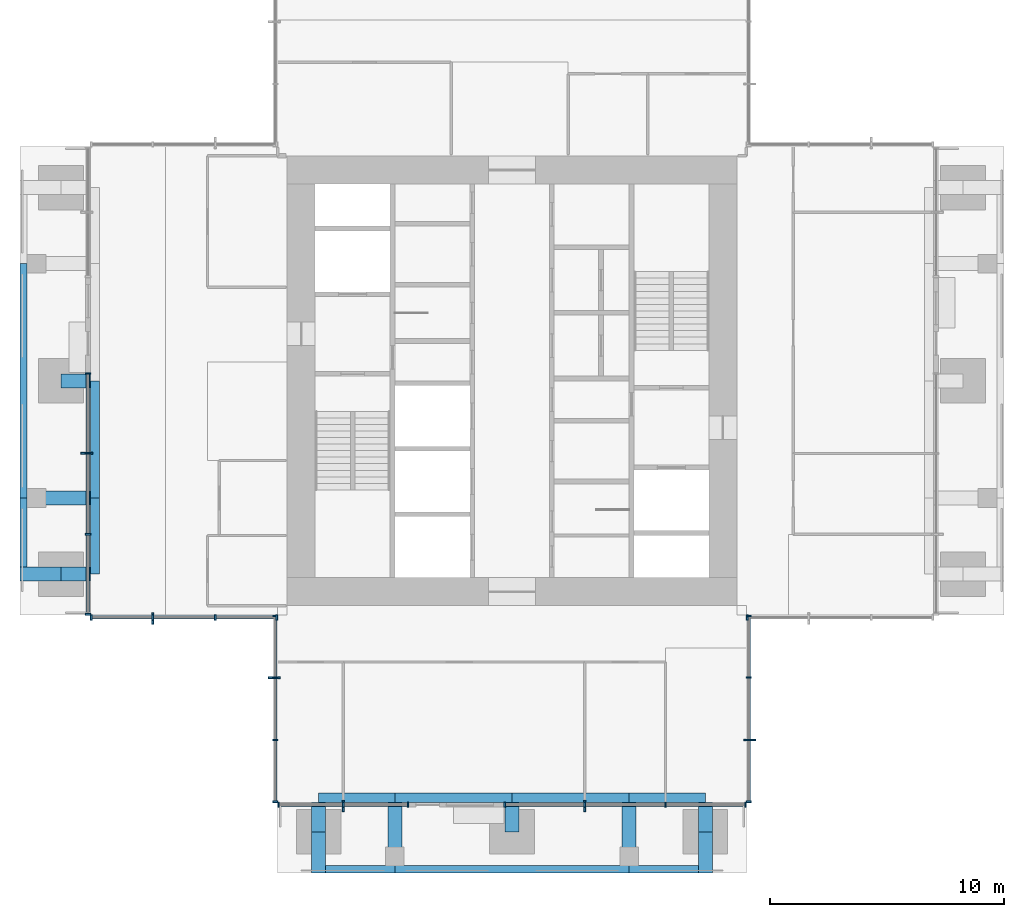
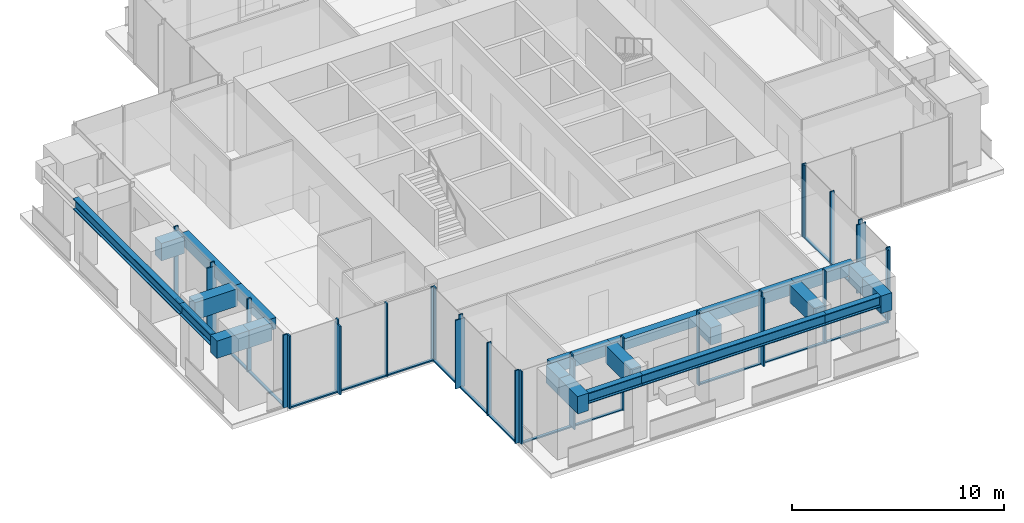
# One storey, part 2 of 12: 47 members, 22 beams, 7 elements without a shape of their own.
"""IFC4 building model written with IfcOpenShell, lengths in metres."""

from ifc_helpers import new_model, si_unit, direction, frame, origin, origin_2d, place, context, subcontext, project, spatial, rectangle, i_section, extrude, material, material_profile, profile_set, type_object, element, aggregate, save


model = new_model("IFC4")

# Units and contexts
model_context = context("Model", 3, precision=1e-05, world=origin(), true_north=direction((0.0, 1.0)))
body_context = subcontext(model_context, "Body", "Model", "MODEL_VIEW")
ifc_project = project(units=[si_unit("LENGTHUNIT", "METRE"), si_unit("AREAUNIT", "SQUARE_METRE"), si_unit("VOLUMEUNIT", "CUBIC_METRE"), si_unit("PLANEANGLEUNIT", "RADIAN"), si_unit("MASSUNIT", "GRAM", prefix="KILO")], contexts=[model_context])

# Site, building, storey
site_placement = place(None, origin())
site = spatial("IfcSite", under=ifc_project, at=site_placement, CompositionType="ELEMENT")
building_placement = place(site_placement, origin())
building = spatial("IfcBuilding", under=site, at=building_placement, Name="Svetlomir Tower", CompositionType="ELEMENT")
storey_placement = place(building_placement, frame((0.0, 0.0, 248.199951171875)))
storey = spatial("IfcBuildingStorey", under=building, at=storey_placement, Name="L59", CompositionType="ELEMENT", Elevation=248.199951171875)

# Curtain wall, member
ifc_material_1 = material(Name="Bronze anodised aluminium curtain wall", Category="aluminium")
curtain_wall_type = type_object("IfcCurtainWallType", Name="CURTAIN WALL CW4 EXECUTIVE", PredefinedType="NOTDEFINED", material=ifc_material_1)
curtain_wall_1_placement = place(storey_placement, origin())
curtain_wall_1 = element("IfcCurtainWall", 1, at=curtain_wall_1_placement, inside=storey, type_object=curtain_wall_type, Name="Curtain wall CW4 L59", PredefinedType="NOTDEFINED")
ifc_material_2 = material(Name="Bronze anodised aluminium", Category="aluminium")
ifc_material_profile_1 = material_profile(ifc_material_2, rectangle(XDim=0.080078125, YDim=0.5, at=origin_2d()), Name="FIN 80x500")
ifc_profile_set_1 = profile_set([ifc_material_profile_1], Name="Bronze anodised aluminium 6063-T6")
member_type_1 = type_object("IfcMemberType", Name="BRONZE FIN 80x500", PredefinedType="USERDEFINED", material=ifc_profile_set_1)
member_1_placement = place(storey_placement, frame((13.800048828125, 2.85009765625, 0.0), z_axis=(0.0, 0.0, 1.0), x_axis=(1.0, 0.0, 0.0)))
member_1 = element("IfcMember", 2, at=member_1_placement, type_object=member_type_1, Name="Bronze fin L59", ObjectType="FIN", PredefinedType="USERDEFINED", context=body_context, shape_type="SweptSolid", body=[
    extrude(rectangle(XDim=0.080078125, YDim=0.5, at=origin_2d()), origin(), (0.0, 0.0, 1.0), 3.949951171875),
])

curtain_wall_2_placement = place(storey_placement, origin())
curtain_wall_2 = element("IfcCurtainWall", 3, at=curtain_wall_2_placement, inside=storey, type_object=curtain_wall_type, Name="Curtain wall CW4 L59", PredefinedType="NOTDEFINED")
member_2_placement = place(storey_placement, frame((24.10009765625, 2.85009765625, 0.0), z_axis=(0.0, 0.0, 1.0), x_axis=(1.0, 0.0, 0.0)))
member_2 = element("IfcMember", 4, at=member_2_placement, type_object=member_type_1, Name="Bronze fin L59", ObjectType="FIN", PredefinedType="USERDEFINED", context=body_context, shape_type="SweptSolid", body=[
    extrude(rectangle(XDim=0.080078125, YDim=0.5, at=origin_2d()), origin(), (0.0, 0.0, 1.0), 3.949951171875),
])

curtain_wall_3_placement = place(storey_placement, origin())
curtain_wall_3 = element("IfcCurtainWall", 5, at=curtain_wall_3_placement, inside=storey, type_object=curtain_wall_type, Name="Curtain wall CW4 L59", PredefinedType="NOTDEFINED")
member_3_placement = place(storey_placement, frame((31.14990234375, 5.666748046875, 0.0), z_axis=(0.0, 0.0, 1.0), x_axis=(0.0, 1.0, 0.0)))
member_3 = element("IfcMember", 6, at=member_3_placement, type_object=member_type_1, Name="Bronze fin L59", ObjectType="FIN", PredefinedType="USERDEFINED", context=body_context, shape_type="SweptSolid", body=[
    extrude(rectangle(XDim=0.080078125, YDim=0.5, at=origin_2d()), origin(), (0.0, 0.0, 1.0), 3.949951171875),
])

curtain_wall_4_placement = place(storey_placement, origin())
curtain_wall_4 = element("IfcCurtainWall", 7, at=curtain_wall_4_placement, inside=storey, type_object=curtain_wall_type, Name="Curtain wall CW4 L59", PredefinedType="NOTDEFINED")
member_4_placement = place(storey_placement, frame((2.85009765625, 17.89990234375, 0.0), z_axis=(0.0, 0.0, 1.0), x_axis=(0.0, 1.0, 0.0)))
member_4 = element("IfcMember", 8, at=member_4_placement, type_object=member_type_1, Name="Bronze fin L59", ObjectType="FIN", PredefinedType="USERDEFINED", context=body_context, shape_type="SweptSolid", body=[
    extrude(rectangle(XDim=0.080078125, YDim=0.5, at=origin_2d()), origin(), (0.0, 0.0, 1.0), 3.949951171875),
])

curtain_wall_5_placement = place(storey_placement, origin())
curtain_wall_5 = element("IfcCurtainWall", 9, at=curtain_wall_5_placement, inside=storey, type_object=curtain_wall_type, Name="Curtain wall CW4 L59", PredefinedType="NOTDEFINED")
member_5_placement = place(storey_placement, frame((5.666748046875, 10.85009765625, 0.0), z_axis=(0.0, 0.0, 1.0), x_axis=(1.0, 0.0, 0.0)))
member_5 = element("IfcMember", 10, at=member_5_placement, type_object=member_type_1, Name="Bronze fin L59", ObjectType="FIN", PredefinedType="USERDEFINED", context=body_context, shape_type="SweptSolid", body=[
    extrude(rectangle(XDim=0.080078125, YDim=0.5, at=origin_2d()), origin(), (0.0, 0.0, 1.0), 3.949951171875),
])

curtain_wall_6_placement = place(storey_placement, origin())
curtain_wall_6 = element("IfcCurtainWall", 11, at=curtain_wall_6_placement, inside=storey, type_object=curtain_wall_type, Name="Curtain wall CW4 L59", PredefinedType="NOTDEFINED")
member_6_placement = place(storey_placement, frame((10.85009765625, 8.333251953125, 0.0), z_axis=(0.0, 0.0, 1.0), x_axis=(0.0, 1.0, 0.0)))
member_6 = element("IfcMember", 12, at=member_6_placement, type_object=member_type_1, Name="Bronze fin L59", ObjectType="FIN", PredefinedType="USERDEFINED", context=body_context, shape_type="SweptSolid", body=[
    extrude(rectangle(XDim=0.080078125, YDim=0.5, at=origin_2d()), origin(), (0.0, 0.0, 1.0), 3.949951171875),
])

# Member
ifc_material_3 = material(Name="Bronze anodised aluminium", Category="aluminium")
ifc_material_profile_2 = material_profile(ifc_material_3, rectangle(XDim=0.074951171875, YDim=0.219970703125, at=origin_2d()), Name="AL 75x220")
ifc_profile_set_2 = profile_set([ifc_material_profile_2], Name="Bronze anodised aluminium 6063-T6")
member_type_2 = type_object("IfcMemberType", Name="CW4 MULLION 75x220", PredefinedType="MULLION", material=ifc_profile_set_2)
member_7_placement = place(storey_placement, frame((11.03759765625, 2.89990234375, 0.0), z_axis=(0.0, 0.0, 1.0), x_axis=(1.0, 0.0, 0.0)))
member_7 = element("IfcMember", 13, at=member_7_placement, type_object=member_type_2, Name="CW4 mullion 1", PredefinedType="MULLION", context=body_context, shape_type="SweptSolid", body=[
    extrude(rectangle(XDim=0.074951171875, YDim=0.219970703125, at=origin_2d()), origin(), (0.0, 0.0, 1.0), 4.199951171875),
])

member_8_placement = place(storey_placement, frame((13.800048828125, 2.89990234375, 0.0), z_axis=(0.0, 0.0, 1.0), x_axis=(1.0, 0.0, 0.0)))
member_8 = element("IfcMember", 14, at=member_8_placement, type_object=member_type_2, Name="CW4 mullion 2", PredefinedType="MULLION", context=body_context, shape_type="SweptSolid", body=[
    extrude(rectangle(XDim=0.074951171875, YDim=0.219970703125, at=origin_2d()), origin(), (0.0, 0.0, 1.0), 4.199951171875),
])

member_9_placement = place(storey_placement, frame((16.5625, 2.89990234375, 0.0), z_axis=(0.0, 0.0, 1.0), x_axis=(1.0, 0.0, 0.0)))
member_9 = element("IfcMember", 15, at=member_9_placement, type_object=member_type_2, Name="CW4 mullion 3", PredefinedType="MULLION", context=body_context, shape_type="SweptSolid", body=[
    extrude(rectangle(XDim=0.074951171875, YDim=0.219970703125, at=origin_2d()), origin(), (0.0, 0.0, 1.0), 4.199951171875),
])

member_10_placement = place(storey_placement, frame((20.6875, 2.89990234375, 0.0), z_axis=(0.0, 0.0, 1.0), x_axis=(1.0, 0.0, 0.0)))
member_10 = element("IfcMember", 16, at=member_10_placement, type_object=member_type_2, Name="CW4 mullion 1", PredefinedType="MULLION", context=body_context, shape_type="SweptSolid", body=[
    extrude(rectangle(XDim=0.074951171875, YDim=0.219970703125, at=origin_2d()), origin(), (0.0, 0.0, 1.0), 4.199951171875),
])

member_11_placement = place(storey_placement, frame((24.10009765625, 2.89990234375, 0.0), z_axis=(0.0, 0.0, 1.0), x_axis=(1.0, 0.0, 0.0)))
member_11 = element("IfcMember", 17, at=member_11_placement, type_object=member_type_2, Name="CW4 mullion 2", PredefinedType="MULLION", context=body_context, shape_type="SweptSolid", body=[
    extrude(rectangle(XDim=0.074951171875, YDim=0.219970703125, at=origin_2d()), origin(), (0.0, 0.0, 1.0), 4.199951171875),
])

member_12_placement = place(storey_placement, frame((27.550048828125, 2.89990234375, 0.0), z_axis=(0.0, 0.0, 1.0), x_axis=(1.0, 0.0, 0.0)))
member_12 = element("IfcMember", 18, at=member_12_placement, type_object=member_type_2, Name="CW4 mullion 3", PredefinedType="MULLION", context=body_context, shape_type="SweptSolid", body=[
    extrude(rectangle(XDim=0.074951171875, YDim=0.219970703125, at=origin_2d()), origin(), (0.0, 0.0, 1.0), 4.199951171875),
])

member_13_placement = place(storey_placement, frame((30.96240234375, 2.89990234375, 0.0), z_axis=(0.0, 0.0, 1.0), x_axis=(1.0, 0.0, 0.0)))
member_13 = element("IfcMember", 19, at=member_13_placement, type_object=member_type_2, Name="CW4 mullion 4", PredefinedType="MULLION", context=body_context, shape_type="SweptSolid", body=[
    extrude(rectangle(XDim=0.074951171875, YDim=0.219970703125, at=origin_2d()), origin(), (0.0, 0.0, 1.0), 4.199951171875),
])

member_14_placement = place(storey_placement, frame((31.10009765625, 3.03759765625, 0.0), z_axis=(0.0, 0.0, 1.0), x_axis=(0.0, 1.0, 0.0)))
member_14 = element("IfcMember", 20, at=member_14_placement, type_object=member_type_2, Name="CW4 mullion 1", PredefinedType="MULLION", context=body_context, shape_type="SweptSolid", body=[
    extrude(rectangle(XDim=0.074951171875, YDim=0.219970703125, at=origin_2d()), origin(), (0.0, 0.0, 1.0), 4.199951171875),
])

member_15_placement = place(storey_placement, frame((31.10009765625, 5.666748046875, 0.0), z_axis=(0.0, 0.0, 1.0), x_axis=(0.0, 1.0, 0.0)))
member_15 = element("IfcMember", 21, at=member_15_placement, type_object=member_type_2, Name="CW4 mullion 2", PredefinedType="MULLION", context=body_context, shape_type="SweptSolid", body=[
    extrude(rectangle(XDim=0.074951171875, YDim=0.219970703125, at=origin_2d()), origin(), (0.0, 0.0, 1.0), 4.199951171875),
])

member_16_placement = place(storey_placement, frame((31.10009765625, 8.333251953125, 0.0), z_axis=(0.0, 0.0, 1.0), x_axis=(0.0, 1.0, 0.0)))
member_16 = element("IfcMember", 22, at=member_16_placement, type_object=member_type_2, Name="CW4 mullion 3", PredefinedType="MULLION", context=body_context, shape_type="SweptSolid", body=[
    extrude(rectangle(XDim=0.074951171875, YDim=0.219970703125, at=origin_2d()), origin(), (0.0, 0.0, 1.0), 4.199951171875),
])

member_17_placement = place(storey_placement, frame((31.10009765625, 10.96240234375, 0.0), z_axis=(0.0, 0.0, 1.0), x_axis=(0.0, 1.0, 0.0)))
member_17 = element("IfcMember", 23, at=member_17_placement, type_object=member_type_2, Name="CW4 mullion 4", PredefinedType="MULLION", context=body_context, shape_type="SweptSolid", body=[
    extrude(rectangle(XDim=0.074951171875, YDim=0.219970703125, at=origin_2d()), origin(), (0.0, 0.0, 1.0), 4.199951171875),
])

# Curtain wall, member
curtain_wall_7_placement = place(storey_placement, origin())
curtain_wall_7 = element("IfcCurtainWall", 24, at=curtain_wall_7_placement, inside=storey, type_object=curtain_wall_type, Name="Curtain wall CW4 L59", PredefinedType="NOTDEFINED")
member_18_placement = place(storey_placement, frame((31.03759765625, 10.89990234375, 0.0), z_axis=(0.0, 0.0, 1.0), x_axis=(1.0, 0.0, 0.0)))
member_18 = element("IfcMember", 25, at=member_18_placement, type_object=member_type_2, Name="CW4 mullion 1", PredefinedType="MULLION", context=body_context, shape_type="SweptSolid", body=[
    extrude(rectangle(XDim=0.074951171875, YDim=0.219970703125, at=origin_2d()), origin(), (0.0, 0.0, 1.0), 4.199951171875),
])
aggregate(curtain_wall_7, [member_18])

# Member
member_19_placement = place(storey_placement, frame((2.89990234375, 21.3125, 0.0), z_axis=(0.0, 0.0, 1.0), x_axis=(0.0, -1.0, 0.0)))
member_19 = element("IfcMember", 26, at=member_19_placement, type_object=member_type_2, Name="CW4 mullion 1", PredefinedType="MULLION", context=body_context, shape_type="SweptSolid", body=[
    extrude(rectangle(XDim=0.074951171875, YDim=0.219970703125, at=origin_2d()), origin(), (0.0, 0.0, 1.0), 4.199951171875),
])

member_20_placement = place(storey_placement, frame((2.89990234375, 17.89990234375, 0.0), z_axis=(0.0, 0.0, 1.0), x_axis=(0.0, -1.0, 0.0)))
member_20 = element("IfcMember", 27, at=member_20_placement, type_object=member_type_2, Name="CW4 mullion 2", PredefinedType="MULLION", context=body_context, shape_type="SweptSolid", body=[
    extrude(rectangle(XDim=0.074951171875, YDim=0.219970703125, at=origin_2d()), origin(), (0.0, 0.0, 1.0), 4.199951171875),
])

member_21_placement = place(storey_placement, frame((2.89990234375, 14.449951171875, 0.0), z_axis=(0.0, 0.0, 1.0), x_axis=(0.0, -1.0, 0.0)))
member_21 = element("IfcMember", 28, at=member_21_placement, type_object=member_type_2, Name="CW4 mullion 3", PredefinedType="MULLION", context=body_context, shape_type="SweptSolid", body=[
    extrude(rectangle(XDim=0.074951171875, YDim=0.219970703125, at=origin_2d()), origin(), (0.0, 0.0, 1.0), 4.199951171875),
])

member_22_placement = place(storey_placement, frame((2.89990234375, 11.03759765625, 0.0), z_axis=(0.0, 0.0, 1.0), x_axis=(0.0, -1.0, 0.0)))
member_22 = element("IfcMember", 29, at=member_22_placement, type_object=member_type_2, Name="CW4 mullion 4", PredefinedType="MULLION", context=body_context, shape_type="SweptSolid", body=[
    extrude(rectangle(XDim=0.074951171875, YDim=0.219970703125, at=origin_2d()), origin(), (0.0, 0.0, 1.0), 4.199951171875),
])

member_23_placement = place(storey_placement, frame((3.03759765625, 10.89990234375, 0.0), z_axis=(0.0, 0.0, 1.0), x_axis=(1.0, 0.0, 0.0)))
member_23 = element("IfcMember", 30, at=member_23_placement, type_object=member_type_2, Name="CW4 mullion 1", PredefinedType="MULLION", context=body_context, shape_type="SweptSolid", body=[
    extrude(rectangle(XDim=0.074951171875, YDim=0.219970703125, at=origin_2d()), origin(), (0.0, 0.0, 1.0), 4.199951171875),
])

member_24_placement = place(storey_placement, frame((5.666748046875, 10.89990234375, 0.0), z_axis=(0.0, 0.0, 1.0), x_axis=(1.0, 0.0, 0.0)))
member_24 = element("IfcMember", 31, at=member_24_placement, type_object=member_type_2, Name="CW4 mullion 2", PredefinedType="MULLION", context=body_context, shape_type="SweptSolid", body=[
    extrude(rectangle(XDim=0.074951171875, YDim=0.219970703125, at=origin_2d()), origin(), (0.0, 0.0, 1.0), 4.199951171875),
])

member_25_placement = place(storey_placement, frame((8.333251953125, 10.89990234375, 0.0), z_axis=(0.0, 0.0, 1.0), x_axis=(1.0, 0.0, 0.0)))
member_25 = element("IfcMember", 32, at=member_25_placement, type_object=member_type_2, Name="CW4 mullion 3", PredefinedType="MULLION", context=body_context, shape_type="SweptSolid", body=[
    extrude(rectangle(XDim=0.074951171875, YDim=0.219970703125, at=origin_2d()), origin(), (0.0, 0.0, 1.0), 4.199951171875),
])

member_26_placement = place(storey_placement, frame((10.96240234375, 10.89990234375, 0.0), z_axis=(0.0, 0.0, 1.0), x_axis=(1.0, 0.0, 0.0)))
member_26 = element("IfcMember", 33, at=member_26_placement, type_object=member_type_2, Name="CW4 mullion 4", PredefinedType="MULLION", context=body_context, shape_type="SweptSolid", body=[
    extrude(rectangle(XDim=0.074951171875, YDim=0.219970703125, at=origin_2d()), origin(), (0.0, 0.0, 1.0), 4.199951171875),
])

member_27_placement = place(storey_placement, frame((10.89990234375, 10.96240234375, 0.0), z_axis=(0.0, 0.0, 1.0), x_axis=(0.0, -1.0, 0.0)))
member_27 = element("IfcMember", 34, at=member_27_placement, type_object=member_type_2, Name="CW4 mullion 1", PredefinedType="MULLION", context=body_context, shape_type="SweptSolid", body=[
    extrude(rectangle(XDim=0.074951171875, YDim=0.219970703125, at=origin_2d()), origin(), (0.0, 0.0, 1.0), 4.199951171875),
])

member_28_placement = place(storey_placement, frame((10.89990234375, 8.333251953125, 0.0), z_axis=(0.0, 0.0, 1.0), x_axis=(0.0, -1.0, 0.0)))
member_28 = element("IfcMember", 35, at=member_28_placement, type_object=member_type_2, Name="CW4 mullion 2", PredefinedType="MULLION", context=body_context, shape_type="SweptSolid", body=[
    extrude(rectangle(XDim=0.074951171875, YDim=0.219970703125, at=origin_2d()), origin(), (0.0, 0.0, 1.0), 4.199951171875),
])

member_29_placement = place(storey_placement, frame((10.89990234375, 5.666748046875, 0.0), z_axis=(0.0, 0.0, 1.0), x_axis=(0.0, -1.0, 0.0)))
member_29 = element("IfcMember", 36, at=member_29_placement, type_object=member_type_2, Name="CW4 mullion 3", PredefinedType="MULLION", context=body_context, shape_type="SweptSolid", body=[
    extrude(rectangle(XDim=0.074951171875, YDim=0.219970703125, at=origin_2d()), origin(), (0.0, 0.0, 1.0), 4.199951171875),
])

member_30_placement = place(storey_placement, frame((10.89990234375, 3.03759765625, 0.0), z_axis=(0.0, 0.0, 1.0), x_axis=(0.0, -1.0, 0.0)))
member_30 = element("IfcMember", 37, at=member_30_placement, type_object=member_type_2, Name="CW4 mullion 4", PredefinedType="MULLION", context=body_context, shape_type="SweptSolid", body=[
    extrude(rectangle(XDim=0.074951171875, YDim=0.219970703125, at=origin_2d()), origin(), (0.0, 0.0, 1.0), 4.199951171875),
])

ifc_material_4 = material(Name="Bronze anodised aluminium", Category="aluminium")
ifc_material_profile_3 = material_profile(ifc_material_4, rectangle(XDim=0.14990234375, YDim=0.074951171875, at=origin_2d()), Name="AL 150x75")
ifc_profile_set_3 = profile_set([ifc_material_profile_3], Name="Bronze anodised aluminium 6063-T6")
member_type_3 = type_object("IfcMemberType", Name="CW4 TRANSOM 75x150", PredefinedType="USERDEFINED", material=ifc_profile_set_3)
member_31_placement = place(storey_placement, frame((11.074951171875, 2.89990234375, 0.03759765625), z_axis=(1.0, 0.0, 0.0), x_axis=(0.0, 1.0, 0.0)))
member_31 = element("IfcMember", 38, at=member_31_placement, type_object=member_type_3, Name="CW4 transom 1.1", ObjectType="TRANSOM", PredefinedType="USERDEFINED", context=body_context, shape_type="SweptSolid", body=[
    extrude(rectangle(XDim=0.14990234375, YDim=0.074951171875, at=origin_2d()), origin(), (0.0, 0.0, 1.0), 2.6875),
])

member_32_placement = place(storey_placement, frame((13.83740234375, 2.89990234375, 0.03759765625), z_axis=(1.0, 0.0, 0.0), x_axis=(0.0, 1.0, 0.0)))
member_32 = element("IfcMember", 39, at=member_32_placement, type_object=member_type_3, Name="CW4 transom 2.1", ObjectType="TRANSOM", PredefinedType="USERDEFINED", context=body_context, shape_type="SweptSolid", body=[
    extrude(rectangle(XDim=0.14990234375, YDim=0.074951171875, at=origin_2d()), origin(), (0.0, 0.0, 1.0), 2.6875),
])

aggregate(curtain_wall_1, [member_7, member_8, member_9, member_31, member_32, member_1])

member_33_placement = place(storey_placement, frame((20.72509765625, 2.89990234375, 0.03759765625), z_axis=(1.0, 0.0, 0.0), x_axis=(0.0, 1.0, 0.0)))
member_33 = element("IfcMember", 40, at=member_33_placement, type_object=member_type_3, Name="CW4 transom 1.1", ObjectType="TRANSOM", PredefinedType="USERDEFINED", context=body_context, shape_type="SweptSolid", body=[
    extrude(rectangle(XDim=0.14990234375, YDim=0.074951171875, at=origin_2d()), origin(), (0.0, 0.0, 1.0), 3.33740234375),
])

member_34_placement = place(storey_placement, frame((24.137451171875, 2.89990234375, 0.03759765625), z_axis=(1.0, 0.0, 0.0), x_axis=(0.0, 1.0, 0.0)))
member_34 = element("IfcMember", 41, at=member_34_placement, type_object=member_type_3, Name="CW4 transom 2.1", ObjectType="TRANSOM", PredefinedType="USERDEFINED", context=body_context, shape_type="SweptSolid", body=[
    extrude(rectangle(XDim=0.14990234375, YDim=0.074951171875, at=origin_2d()), origin(), (0.0, 0.0, 1.0), 3.375),
])

member_35_placement = place(storey_placement, frame((27.58740234375, 2.89990234375, 0.03759765625), z_axis=(1.0, 0.0, 0.0), x_axis=(0.0, 1.0, 0.0)))
member_35 = element("IfcMember", 42, at=member_35_placement, type_object=member_type_3, Name="CW4 transom 3.1", ObjectType="TRANSOM", PredefinedType="USERDEFINED", context=body_context, shape_type="SweptSolid", body=[
    extrude(rectangle(XDim=0.14990234375, YDim=0.074951171875, at=origin_2d()), origin(), (0.0, 0.0, 1.0), 3.337646484375),
])

aggregate(curtain_wall_2, [member_10, member_11, member_12, member_13, member_33, member_34, member_35, member_2])

member_36_placement = place(storey_placement, frame((31.10009765625, 3.074951171875, 0.03759765625), z_axis=(0.0, 1.0, 0.0), x_axis=(-1.0, 0.0, 0.0)))
member_36 = element("IfcMember", 43, at=member_36_placement, type_object=member_type_3, Name="CW4 transom 1.1", ObjectType="TRANSOM", PredefinedType="USERDEFINED", context=body_context, shape_type="SweptSolid", body=[
    extrude(rectangle(XDim=0.14990234375, YDim=0.074951171875, at=origin_2d()), origin(), (0.0, 0.0, 1.0), 2.55419921875),
])

member_37_placement = place(storey_placement, frame((31.10009765625, 5.7041015625, 0.03759765625), z_axis=(0.0, 1.0, 0.0), x_axis=(-1.0, 0.0, 0.0)))
member_37 = element("IfcMember", 44, at=member_37_placement, type_object=member_type_3, Name="CW4 transom 2.1", ObjectType="TRANSOM", PredefinedType="USERDEFINED", context=body_context, shape_type="SweptSolid", body=[
    extrude(rectangle(XDim=0.14990234375, YDim=0.074951171875, at=origin_2d()), origin(), (0.0, 0.0, 1.0), 2.591796875),
])

member_38_placement = place(storey_placement, frame((31.10009765625, 8.370849609375, 0.03759765625), z_axis=(0.0, 1.0, 0.0), x_axis=(-1.0, 0.0, 0.0)))
member_38 = element("IfcMember", 45, at=member_38_placement, type_object=member_type_3, Name="CW4 transom 3.1", ObjectType="TRANSOM", PredefinedType="USERDEFINED", context=body_context, shape_type="SweptSolid", body=[
    extrude(rectangle(XDim=0.14990234375, YDim=0.074951171875, at=origin_2d()), origin(), (0.0, 0.0, 1.0), 2.55419921875),
])

aggregate(curtain_wall_3, [member_14, member_15, member_16, member_17, member_36, member_37, member_38, member_3])

member_39_placement = place(storey_placement, frame((2.89990234375, 21.27490234375, 0.03759765625), z_axis=(0.0, -1.0, 0.0), x_axis=(1.0, 0.0, 0.0)))
member_39 = element("IfcMember", 46, at=member_39_placement, type_object=member_type_3, Name="CW4 transom 1.1", ObjectType="TRANSOM", PredefinedType="USERDEFINED", context=body_context, shape_type="SweptSolid", body=[
    extrude(rectangle(XDim=0.14990234375, YDim=0.074951171875, at=origin_2d()), origin(), (0.0, 0.0, 1.0), 3.33740234375),
])

member_40_placement = place(storey_placement, frame((2.89990234375, 17.862548828125, 0.03759765625), z_axis=(0.0, -1.0, 0.0), x_axis=(1.0, 0.0, 0.0)))
member_40 = element("IfcMember", 47, at=member_40_placement, type_object=member_type_3, Name="CW4 transom 2.1", ObjectType="TRANSOM", PredefinedType="USERDEFINED", context=body_context, shape_type="SweptSolid", body=[
    extrude(rectangle(XDim=0.14990234375, YDim=0.074951171875, at=origin_2d()), origin(), (0.0, 0.0, 1.0), 3.375),
])

member_41_placement = place(storey_placement, frame((2.89990234375, 14.41259765625, 0.03759765625), z_axis=(0.0, -1.0, 0.0), x_axis=(1.0, 0.0, 0.0)))
member_41 = element("IfcMember", 48, at=member_41_placement, type_object=member_type_3, Name="CW4 transom 3.1", ObjectType="TRANSOM", PredefinedType="USERDEFINED", context=body_context, shape_type="SweptSolid", body=[
    extrude(rectangle(XDim=0.14990234375, YDim=0.074951171875, at=origin_2d()), origin(), (0.0, 0.0, 1.0), 3.337646484375),
])

aggregate(curtain_wall_4, [member_19, member_20, member_21, member_22, member_39, member_40, member_41, member_4])

member_42_placement = place(storey_placement, frame((3.074951171875, 10.89990234375, 0.03759765625), z_axis=(1.0, 0.0, 0.0), x_axis=(0.0, 1.0, 0.0)))
member_42 = element("IfcMember", 49, at=member_42_placement, type_object=member_type_3, Name="CW4 transom 1.1", ObjectType="TRANSOM", PredefinedType="USERDEFINED", context=body_context, shape_type="SweptSolid", body=[
    extrude(rectangle(XDim=0.14990234375, YDim=0.074951171875, at=origin_2d()), origin(), (0.0, 0.0, 1.0), 2.55419921875),
])

member_43_placement = place(storey_placement, frame((5.7041015625, 10.89990234375, 0.03759765625), z_axis=(1.0, 0.0, 0.0), x_axis=(0.0, 1.0, 0.0)))
member_43 = element("IfcMember", 50, at=member_43_placement, type_object=member_type_3, Name="CW4 transom 2.1", ObjectType="TRANSOM", PredefinedType="USERDEFINED", context=body_context, shape_type="SweptSolid", body=[
    extrude(rectangle(XDim=0.14990234375, YDim=0.074951171875, at=origin_2d()), origin(), (0.0, 0.0, 1.0), 2.591796875),
])

member_44_placement = place(storey_placement, frame((8.370849609375, 10.89990234375, 0.03759765625), z_axis=(1.0, 0.0, 0.0), x_axis=(0.0, 1.0, 0.0)))
member_44 = element("IfcMember", 51, at=member_44_placement, type_object=member_type_3, Name="CW4 transom 3.1", ObjectType="TRANSOM", PredefinedType="USERDEFINED", context=body_context, shape_type="SweptSolid", body=[
    extrude(rectangle(XDim=0.14990234375, YDim=0.074951171875, at=origin_2d()), origin(), (0.0, 0.0, 1.0), 2.55419921875),
])

aggregate(curtain_wall_5, [member_23, member_24, member_25, member_26, member_42, member_43, member_44, member_5])

member_45_placement = place(storey_placement, frame((10.89990234375, 10.925048828125, 0.03759765625), z_axis=(0.0, -1.0, 0.0), x_axis=(1.0, 0.0, 0.0)))
member_45 = element("IfcMember", 52, at=member_45_placement, type_object=member_type_3, Name="CW4 transom 1.1", ObjectType="TRANSOM", PredefinedType="USERDEFINED", context=body_context, shape_type="SweptSolid", body=[
    extrude(rectangle(XDim=0.14990234375, YDim=0.074951171875, at=origin_2d()), origin(), (0.0, 0.0, 1.0), 2.55419921875),
])

member_46_placement = place(storey_placement, frame((10.89990234375, 8.2958984375, 0.03759765625), z_axis=(0.0, -1.0, 0.0), x_axis=(1.0, 0.0, 0.0)))
member_46 = element("IfcMember", 53, at=member_46_placement, type_object=member_type_3, Name="CW4 transom 2.1", ObjectType="TRANSOM", PredefinedType="USERDEFINED", context=body_context, shape_type="SweptSolid", body=[
    extrude(rectangle(XDim=0.14990234375, YDim=0.074951171875, at=origin_2d()), origin(), (0.0, 0.0, 1.0), 2.591796875),
])

member_47_placement = place(storey_placement, frame((10.89990234375, 5.629150390625, 0.03759765625), z_axis=(0.0, -1.0, 0.0), x_axis=(1.0, 0.0, 0.0)))
member_47 = element("IfcMember", 54, at=member_47_placement, type_object=member_type_3, Name="CW4 transom 3.1", ObjectType="TRANSOM", PredefinedType="USERDEFINED", context=body_context, shape_type="SweptSolid", body=[
    extrude(rectangle(XDim=0.14990234375, YDim=0.074951171875, at=origin_2d()), origin(), (0.0, 0.0, 1.0), 2.55419921875),
])

aggregate(curtain_wall_6, [member_27, member_28, member_29, member_30, member_45, member_46, member_47, member_6])

# Beams
ifc_material_5 = material(Name="Steel S355", Category="steel")
ifc_material_profile_4 = material_profile(ifc_material_5, i_section(OverallWidth=0.304931640625, OverallDepth=0.6201171875, WebThickness=0.02099609375, FlangeThickness=0.0400390625, FilletRadius=0.027099609375, at=origin_2d()), Name="HEM 600")
ifc_profile_set_4 = profile_set([ifc_material_profile_4], Name="Steel S355")
beam_type_1 = type_object("IfcBeamType", Name="EDGE BEAM HEM 600", PredefinedType="SPANDREL", material=ifc_profile_set_4)
for number, where, z_axis, x_axis, name in (
    (55, (13.050048828125, 0.152587890625, 3.64013671875), (1.0, 0.0, 0.0), (0.0, 1.0, 0.0), "Edge beam 11/0 to 16/0 under L60"),
    (56, (0.152587890625, 13.050048828125, 3.64013671875), (0.0, 1.0, 0.0), (-1.0, 0.0, 0.0), "Edge beam 0/11 to 0/16 under L60"),
):
    element("IfcBeam", number, at=place(storey_placement, frame(where, z_axis=z_axis, x_axis=x_axis)), inside=storey, type_object=beam_type_1, Name=name, PredefinedType="SPANDREL", context=body_context, shape_type="SweptSolid", body=[
        extrude(i_section(OverallWidth=0.304931640625, OverallDepth=0.6201171875, WebThickness=0.02099609375, FlangeThickness=0.0400390625, FilletRadius=0.027099609375, at=origin_2d()), origin(), (0.0, 0.0, 1.0), 2.949951171875),
    ])
for number, where, z_axis, x_axis, name in (
    (57, (16.0, 0.152587890625, 3.64013671875), (1.0, 0.0, 0.0), (0.0, 1.0, 0.0), "Edge beam 16/0 to 26/0 under L60"),
    (58, (0.152587890625, 16.0, 3.64013671875), (0.0, 1.0, 0.0), (-1.0, 0.0, 0.0), "Edge beam 0/16 to 0/26 under L60"),
):
    element("IfcBeam", number, at=place(storey_placement, frame(where, z_axis=z_axis, x_axis=x_axis)), inside=storey, type_object=beam_type_1, Name=name, PredefinedType="SPANDREL", context=body_context, shape_type="SweptSolid", body=[
        extrude(i_section(OverallWidth=0.304931640625, OverallDepth=0.6201171875, WebThickness=0.02099609375, FlangeThickness=0.0400390625, FilletRadius=0.027099609375, at=origin_2d()), origin(), (0.0, 0.0, 1.0), 10.0),
    ])
beam_1_placement = place(storey_placement, frame((26.0, 0.152587890625, 3.64013671875), z_axis=(1.0, 0.0, 0.0), x_axis=(0.0, 1.0, 0.0)))
element("IfcBeam", 59, at=beam_1_placement, inside=storey, type_object=beam_type_1, Name="Edge beam 26/0 to 31/0 under L60", PredefinedType="SPANDREL", context=body_context, shape_type="SweptSolid", body=[
    extrude(i_section(OverallWidth=0.304931640625, OverallDepth=0.6201171875, WebThickness=0.02099609375, FlangeThickness=0.0400390625, FilletRadius=0.027099609375, at=origin_2d()), origin(), (0.0, 0.0, 1.0), 2.949951171875),
])
ifc_material_6 = material(Name="Concrete C60/75", Category="concrete")
ifc_material_profile_5 = material_profile(ifc_material_6, rectangle(XDim=0.60009765625, YDim=1.0, at=origin_2d()), Name="RC 600x1000")
ifc_profile_set_5 = profile_set([ifc_material_profile_5], Name="Concrete C60/75")
beam_type_2 = type_object("IfcBeamType", Name="EDGE LINK BEAM RC 600x1000", PredefinedType="BEAM", material=ifc_profile_set_5)
for number, where, z_axis, x_axis, name in (
    (60, (1.75, 12.75, 3.449951171875), (-1.0, 0.0, 0.0), (0.0, -1.0, 0.0), "Edge link beam W 0/11 under L60"),
    (61, (12.75, 1.75, 3.449951171875), (0.0, -1.0, 0.0), (1.0, 0.0, 0.0), "Edge link beam S 11/0 under L60"),
    (62, (29.25, 1.75, 3.449951171875), (0.0, -1.0, 0.0), (1.0, 0.0, 0.0), "Edge link beam S 31/0 under L60"),
):
    element("IfcBeam", number, at=place(storey_placement, frame(where, z_axis=z_axis, x_axis=x_axis)), inside=storey, type_object=beam_type_2, Name=name, PredefinedType="BEAM", context=body_context, shape_type="SweptSolid", body=[
        extrude(rectangle(XDim=0.60009765625, YDim=1.0, at=origin_2d()), origin(), (0.0, 0.0, 1.0), 1.75),
    ])
ifc_material_7 = material(Name="Concrete C60/75", Category="concrete")
ifc_material_profile_6 = material_profile(ifc_material_7, rectangle(XDim=0.39990234375, YDim=0.64990234375, at=origin_2d()), Name="RC 400x650")
ifc_profile_set_6 = profile_set([ifc_material_profile_6], Name="Concrete C60/75")
beam_type_3 = type_object("IfcBeamType", Name="FACADE EDGE BEAM RC 400x650", PredefinedType="BEAM", material=ifc_profile_set_6)
beam_2_placement = place(storey_placement, frame((12.75, 3.199951171875, 3.625), z_axis=(1.0, 0.0, 0.0), x_axis=(0.0, 1.0, 0.0)))
element("IfcBeam", 63, at=beam_2_placement, inside=storey, type_object=beam_type_3, Name="Facade edge beam S 11 to 16 under L60", PredefinedType="BEAM", context=body_context, shape_type="SweptSolid", body=[
    extrude(rectangle(XDim=0.39990234375, YDim=0.64990234375, at=origin_2d()), origin(), (0.0, 0.0, 1.0), 3.25),
])
for number, where, z_axis, x_axis, name in (
    (64, (16.0, 3.199951171875, 3.625), (1.0, 0.0, 0.0), (0.0, 1.0, 0.0), "Facade edge beam S 16 to 21 under L60"),
    (65, (21.0, 3.199951171875, 3.625), (1.0, 0.0, 0.0), (0.0, 1.0, 0.0), "Facade edge beam S 21 to 26 under L60"),
):
    element("IfcBeam", number, at=place(storey_placement, frame(where, z_axis=z_axis, x_axis=x_axis)), inside=storey, type_object=beam_type_3, Name=name, PredefinedType="BEAM", context=body_context, shape_type="SweptSolid", body=[
        extrude(rectangle(XDim=0.39990234375, YDim=0.64990234375, at=origin_2d()), origin(), (0.0, 0.0, 1.0), 5.0),
    ])
for number, where, z_axis, x_axis, name in (
    (66, (26.0, 3.199951171875, 3.625), (1.0, 0.0, 0.0), (0.0, 1.0, 0.0), "Facade edge beam S 26 to 31 under L60"),
    (67, (3.199951171875, 12.75, 3.625), (0.0, 1.0, 0.0), (-1.0, 0.0, 0.0), "Facade edge beam W 11 to 16 under L60"),
):
    element("IfcBeam", number, at=place(storey_placement, frame(where, z_axis=z_axis, x_axis=x_axis)), inside=storey, type_object=beam_type_3, Name=name, PredefinedType="BEAM", context=body_context, shape_type="SweptSolid", body=[
        extrude(rectangle(XDim=0.39990234375, YDim=0.64990234375, at=origin_2d()), origin(), (0.0, 0.0, 1.0), 3.25),
    ])
beam_3_placement = place(storey_placement, frame((3.199951171875, 16.0, 3.625), z_axis=(0.0, 1.0, 0.0), x_axis=(-1.0, 0.0, 0.0)))
element("IfcBeam", 68, at=beam_3_placement, inside=storey, type_object=beam_type_3, Name="Facade edge beam W 16 to 21 under L60", PredefinedType="BEAM", context=body_context, shape_type="SweptSolid", body=[
    extrude(rectangle(XDim=0.39990234375, YDim=0.64990234375, at=origin_2d()), origin(), (0.0, 0.0, 1.0), 5.0),
])
ifc_material_8 = material(Name="Concrete C60/75", Category="concrete")
ifc_material_profile_7 = material_profile(ifc_material_8, rectangle(XDim=0.60009765625, YDim=1.0, at=origin_2d()), Name="RC 600x1000")
ifc_profile_set_7 = profile_set([ifc_material_profile_7], Name="Concrete C60/75")
beam_type_4 = type_object("IfcBeamType", Name="LOGGIA LINK BEAM RC 600x1000", PredefinedType="BEAM", material=ifc_profile_set_7)
beam_4_placement = place(storey_placement, frame((12.75, 1.75, 3.449951171875), z_axis=(0.0, 1.0, 0.0), x_axis=(-1.0, 0.0, 0.0)))
element("IfcBeam", 69, at=beam_4_placement, inside=storey, type_object=beam_type_4, Name="Loggia link beam S 11 under L60", PredefinedType="BEAM", context=body_context, shape_type="SweptSolid", body=[
    extrude(rectangle(XDim=0.60009765625, YDim=1.0, at=origin_2d()), origin(), (0.0, 0.0, 1.0), 1.25),
])
beam_5_placement = place(storey_placement, frame((16.0, 0.699951171875, 3.449951171875), z_axis=(0.0, 1.0, 0.0), x_axis=(-1.0, 0.0, 0.0)))
element("IfcBeam", 70, at=beam_5_placement, inside=storey, type_object=beam_type_4, Name="Loggia link beam S 16 under L60", PredefinedType="BEAM", context=body_context, shape_type="SweptSolid", body=[
    extrude(rectangle(XDim=0.60009765625, YDim=1.0, at=origin_2d()), origin(), (0.0, 0.0, 1.0), 2.300048828125),
])
beam_6_placement = place(storey_placement, frame((21.0, 1.75, 3.449951171875), z_axis=(0.0, 1.0, 0.0), x_axis=(-1.0, 0.0, 0.0)))
element("IfcBeam", 71, at=beam_6_placement, inside=storey, type_object=beam_type_4, Name="Loggia link beam S 21 under L60", PredefinedType="BEAM", context=body_context, shape_type="SweptSolid", body=[
    extrude(rectangle(XDim=0.60009765625, YDim=1.0, at=origin_2d()), origin(), (0.0, 0.0, 1.0), 1.25),
])
beam_7_placement = place(storey_placement, frame((26.0, 0.699951171875, 3.449951171875), z_axis=(0.0, 1.0, 0.0), x_axis=(-1.0, 0.0, 0.0)))
element("IfcBeam", 72, at=beam_7_placement, inside=storey, type_object=beam_type_4, Name="Loggia link beam S 26 under L60", PredefinedType="BEAM", context=body_context, shape_type="SweptSolid", body=[
    extrude(rectangle(XDim=0.60009765625, YDim=1.0, at=origin_2d()), origin(), (0.0, 0.0, 1.0), 2.300048828125),
])
for number, where, z_axis, x_axis, name in (
    (73, (29.25, 1.75, 3.449951171875), (0.0, 1.0, 0.0), (-1.0, 0.0, 0.0), "Loggia link beam S 31 under L60"),
    (74, (1.75, 12.75, 3.449951171875), (1.0, 0.0, 0.0), (0.0, 1.0, 0.0), "Loggia link beam W 11 under L60"),
):
    element("IfcBeam", number, at=place(storey_placement, frame(where, z_axis=z_axis, x_axis=x_axis)), inside=storey, type_object=beam_type_4, Name=name, PredefinedType="BEAM", context=body_context, shape_type="SweptSolid", body=[
        extrude(rectangle(XDim=0.60009765625, YDim=1.0, at=origin_2d()), origin(), (0.0, 0.0, 1.0), 1.25),
    ])
beam_8_placement = place(storey_placement, frame((0.699951171875, 16.0, 3.449951171875), z_axis=(1.0, 0.0, 0.0), x_axis=(0.0, 1.0, 0.0)))
element("IfcBeam", 75, at=beam_8_placement, inside=storey, type_object=beam_type_4, Name="Loggia link beam W 16 under L60", PredefinedType="BEAM", context=body_context, shape_type="SweptSolid", body=[
    extrude(rectangle(XDim=0.60009765625, YDim=1.0, at=origin_2d()), origin(), (0.0, 0.0, 1.0), 2.300048828125),
])
beam_9_placement = place(storey_placement, frame((1.75, 21.0, 3.449951171875), z_axis=(1.0, 0.0, 0.0), x_axis=(0.0, 1.0, 0.0)))
element("IfcBeam", 76, at=beam_9_placement, inside=storey, type_object=beam_type_4, Name="Loggia link beam W 21 under L60", PredefinedType="BEAM", context=body_context, shape_type="SweptSolid", body=[
    extrude(rectangle(XDim=0.60009765625, YDim=1.0, at=origin_2d()), origin(), (0.0, 0.0, 1.0), 1.25),
])

save(model, "model.ifc")
